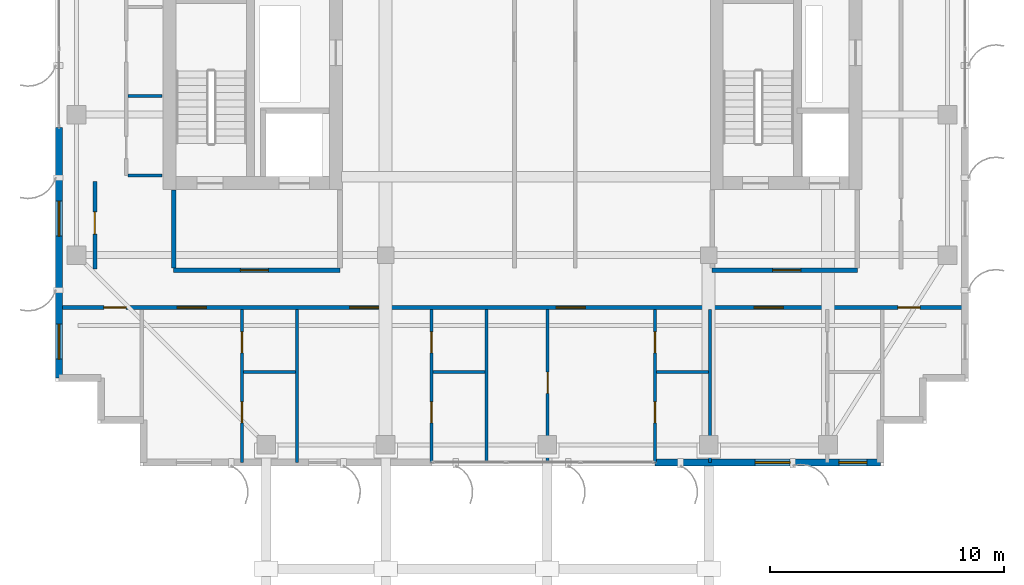
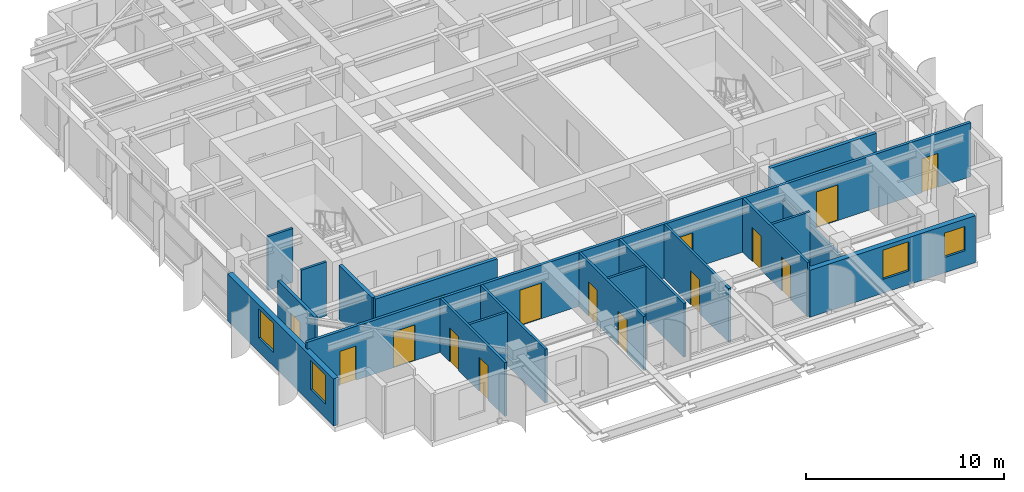
# One storey, part 14 of 19: 19 walls, 16 doors, 4 windows, 20 openings.
"""IFC4 building model written with IfcOpenShell, lengths in metres."""

from ifc_helpers import new_model, si_unit, direction, frame, frame_2d, origin, place, context, subcontext, project, spatial, rectangle, extrude, source, transform, mapped, material, layer, layer_set, type_object, element, fill, save


model = new_model("IFC4")

# Units and contexts
model_context = context("Model", 3, precision=1e-05, world=origin(), true_north=direction((0.0, 1.0)))
body_context = subcontext(model_context, "Body", "Model", "MODEL_VIEW")
ifc_project = project(units=[si_unit("LENGTHUNIT", "METRE"), si_unit("AREAUNIT", "SQUARE_METRE"), si_unit("VOLUMEUNIT", "CUBIC_METRE"), si_unit("PLANEANGLEUNIT", "RADIAN"), si_unit("MASSUNIT", "GRAM", prefix="KILO")], contexts=[model_context])

# Site, building, storey
site_placement = place(None, origin())
site = spatial("IfcSite", under=ifc_project, at=site_placement, CompositionType="ELEMENT")
building_placement = place(site_placement, origin())
building = spatial("IfcBuilding", under=site, at=building_placement, Name="Khoralis Quay Care Tower", CompositionType="ELEMENT")
storey_placement = place(building_placement, frame((0.0, 0.0, 281.699951171875)))
storey = spatial("IfcBuildingStorey", under=building, at=storey_placement, Name="L74", CompositionType="ELEMENT", Elevation=281.699951171875)

# Wall, opening, door
ifc_material_1 = material(Name="Gypsum plasterboard on acoustic metal stud")
ifc_layer_1 = layer(ifc_material_1, 0.199951171875)
ifc_layer_set_1 = layer_set([ifc_layer_1], Name="Gypsum plasterboard on acoustic metal stud")
wall_type_1 = type_object("IfcWallType", Name="WL-COMP-200", PredefinedType="PARTITIONING", material=ifc_layer_set_1)
wall_1_placement = place(storey_placement, frame((8.050048828125, 11.35009765625, 0.0), z_axis=(0.0, 0.0, 1.0), x_axis=(1.0, 0.0, 0.0)))
wall_1 = element("IfcWall", 1, at=wall_1_placement, inside=storey, type_object=wall_type_1, Name="L74 West Firefighting Lobby South Wall", PredefinedType="PARTITIONING", context=body_context, shape_type="SweptSolid", body=[
    extrude(rectangle(XDim=7.099853515625, YDim=0.199951171875, at=frame_2d((3.5498046875, 0.0))), origin(), (0.0, 0.0, 1.0), 3.320068359375),
])
opening_1_placement = place(wall_1_placement, frame((2.846435546875, 0.0, 0.0)))
opening_1 = element("IfcOpeningElement", 2, at=opening_1_placement, cuts=wall_1, Name="Opening FD1", PredefinedType="OPENING", context=body_context, shape_type="SweptSolid", body=[
    extrude(rectangle(XDim=1.199951171875, YDim=2.199951171875, at=frame_2d((0.60009765625, 1.10009765625))), frame((0.0, 0.10986328125, 0.0), z_axis=(0.0, -1.0, 0.0), x_axis=(1.0, 0.0, 0.0)), (0.0, 0.0, 1.0), 0.219970703125),
])
ifc_material_2 = material(Name="Fire-rated painted steel", Category="steel")
door_type_1 = type_object("IfcDoorType", Name="DR-FFL-1200X2200", OperationType="NOTDEFINED", PredefinedType="DOOR", material=ifc_material_2)
shared_shape_1 = source(origin(), body_context, "Body", "SweptSolid", [
    extrude(rectangle(XDim=1.199951171875, YDim=2.199951171875, at=frame_2d((0.60009765625, 1.10009765625))), frame((0.0, 0.02490234375, 0.0), z_axis=(0.0, -1.0, 0.0), x_axis=(1.0, 0.0, 0.0)), (0.0, 0.0, 1.0), 0.050048828125),
])
door_1_placement = place(opening_1_placement, origin())
door_1 = element("IfcDoor", 3, at=door_1_placement, inside=storey, type_object=door_type_1, Name="L74 West Firefighting Lobby Fire Door", OperationType="SINGLE_SWING_RIGHT", OverallHeight=2.199951171875, OverallWidth=1.199951171875, PredefinedType="DOOR", context=body_context, shape_type="MappedRepresentation", body=[
    mapped(shared_shape_1, transform((0.0, 0.0, 0.0), scale=1.0)),
])
fill(opening_1, door_1)

# Wall
wall_2_placement = place(storey_placement, frame((8.050048828125, 11.445068359375, 0.0), z_axis=(0.0, 0.0, 1.0), x_axis=(0.0, 1.0, 0.0)))
element("IfcWall", 4, at=wall_2_placement, inside=storey, type_object=wall_type_1, Name="L74 West Firefighting Lobby West Wall", PredefinedType="PARTITIONING", context=body_context, shape_type="SweptSolid", body=[
    extrude(rectangle(XDim=3.3349609375, YDim=0.199951171875, at=frame_2d((1.66748046875, 0.0))), origin(), (0.0, 0.0, 1.0), 3.320068359375),
])

# Wall, opening, door
wall_3_placement = place(storey_placement, frame((31.050048828125, 11.35009765625, 0.0), z_axis=(0.0, 0.0, 1.0), x_axis=(1.0, 0.0, 0.0)))
wall_3 = element("IfcWall", 5, at=wall_3_placement, inside=storey, type_object=wall_type_1, Name="L74 East Firefighting Lobby South Wall", PredefinedType="PARTITIONING", context=body_context, shape_type="SweptSolid", body=[
    extrude(rectangle(XDim=6.199951171875, YDim=0.199951171875, at=frame_2d((3.10009765625, 0.0))), origin(), (0.0, 0.0, 1.0), 3.320068359375),
])
opening_2_placement = place(wall_3_placement, frame((2.585693359375, 0.0, 0.0)))
opening_2 = element("IfcOpeningElement", 6, at=opening_2_placement, cuts=wall_3, Name="Opening FD1", PredefinedType="OPENING", context=body_context, shape_type="SweptSolid", body=[
    extrude(rectangle(XDim=1.199951171875, YDim=2.199951171875, at=frame_2d((0.60009765625, 1.10009765625))), frame((0.0, 0.10986328125, 0.0), z_axis=(0.0, -1.0, 0.0), x_axis=(1.0, 0.0, 0.0)), (0.0, 0.0, 1.0), 0.219970703125),
])
door_2_placement = place(opening_2_placement, origin())
door_2 = element("IfcDoor", 7, at=door_2_placement, inside=storey, type_object=door_type_1, Name="L74 East Firefighting Lobby Fire Door", OperationType="SINGLE_SWING_LEFT", OverallHeight=2.199951171875, OverallWidth=1.199951171875, PredefinedType="DOOR", context=body_context, shape_type="MappedRepresentation", body=[
    mapped(shared_shape_1, transform((0.0, 0.0, 0.0), scale=1.0)),
])
fill(opening_2, door_2)

# Wall, openings, doors
ifc_layer_2 = layer(ifc_material_1, 0.1650390625)
ifc_layer_set_2 = layer_set([ifc_layer_2], Name="Gypsum plasterboard on acoustic metal stud")
wall_type_2 = type_object("IfcWallType", Name="WL-CORR-165", PredefinedType="PARTITIONING", material=ifc_layer_set_2)
wall_4_placement = place(storey_placement, frame((3.14501953125, 9.760009765625, 0.0), z_axis=(0.0, 0.0, 1.0), x_axis=(1.0, 0.0, 0.0)))
wall_4 = element("IfcWall", 8, at=wall_4_placement, inside=storey, type_object=wall_type_2, Name="L74 South Main Corridor Wall", PredefinedType="PARTITIONING", context=body_context, shape_type="SweptSolid", body=[
    extrude(rectangle(XDim=38.7099609375, YDim=0.1650390625, at=frame_2d((19.35498046875, 0.0))), origin(), (0.0, 0.0, 1.0), 3.320068359375),
])
opening_3_placement = place(wall_4_placement, frame((5.054931640625, 0.0, 0.0)))
opening_3 = element("IfcOpeningElement", 9, at=opening_3_placement, cuts=wall_4, Name="Opening CD1", PredefinedType="OPENING", context=body_context, shape_type="SweptSolid", body=[
    extrude(rectangle(XDim=1.25, YDim=2.199951171875, at=frame_2d((0.625, 1.10009765625))), frame((0.0, 0.092529296875, 0.0), z_axis=(0.0, -1.0, 0.0), x_axis=(1.0, 0.0, 0.0)), (0.0, 0.0, 1.0), 0.18505859375),
])
opening_4_placement = place(wall_4_placement, frame((12.419921875, 0.0, 0.0)))
opening_4 = element("IfcOpeningElement", 10, at=opening_4_placement, cuts=wall_4, Name="Opening CD1", PredefinedType="OPENING", context=body_context, shape_type="SweptSolid", body=[
    extrude(rectangle(XDim=1.25, YDim=2.199951171875, at=frame_2d((0.625, 1.10009765625))), frame((0.0, 0.092529296875, 0.0), z_axis=(0.0, -1.0, 0.0), x_axis=(1.0, 0.0, 0.0)), (0.0, 0.0, 1.0), 0.18505859375),
])
opening_5_placement = place(wall_4_placement, frame((21.239990234375, 0.0, 0.0)))
opening_5 = element("IfcOpeningElement", 11, at=opening_5_placement, cuts=wall_4, Name="Opening CD1", PredefinedType="OPENING", context=body_context, shape_type="SweptSolid", body=[
    extrude(rectangle(XDim=1.25, YDim=2.199951171875, at=frame_2d((0.625, 1.10009765625))), frame((0.0, 0.092529296875, 0.0), z_axis=(0.0, -1.0, 0.0), x_axis=(1.0, 0.0, 0.0)), (0.0, 0.0, 1.0), 0.18505859375),
])
opening_6_placement = place(wall_4_placement, frame((29.695068359375, 0.0, 0.0)))
opening_6 = element("IfcOpeningElement", 12, at=opening_6_placement, cuts=wall_4, Name="Opening CD1", PredefinedType="OPENING", context=body_context, shape_type="SweptSolid", body=[
    extrude(rectangle(XDim=1.25, YDim=2.199951171875, at=frame_2d((0.625, 1.10009765625))), frame((0.0, 0.092529296875, 0.0), z_axis=(0.0, -1.0, 0.0), x_axis=(1.0, 0.0, 0.0)), (0.0, 0.0, 1.0), 0.18505859375),
])
opening_7_placement = place(wall_4_placement, frame((1.919921875, 0.0, 0.0)))
opening_7 = element("IfcOpeningElement", 13, at=opening_7_placement, cuts=wall_4, Name="Opening ID1", PredefinedType="OPENING", context=body_context, shape_type="SweptSolid", body=[
    extrude(rectangle(XDim=0.949951171875, YDim=2.10009765625, at=frame_2d((0.47509765625, 1.050048828125))), frame((0.0, 0.092529296875, 0.0), z_axis=(0.0, -1.0, 0.0), x_axis=(1.0, 0.0, 0.0)), (0.0, 0.0, 1.0), 0.18505859375),
])
opening_8_placement = place(wall_4_placement, frame((35.840087890625, 0.0, 0.0)))
opening_8 = element("IfcOpeningElement", 14, at=opening_8_placement, cuts=wall_4, Name="Opening ID1", PredefinedType="OPENING", context=body_context, shape_type="SweptSolid", body=[
    extrude(rectangle(XDim=0.949951171875, YDim=2.10009765625, at=frame_2d((0.47509765625, 1.050048828125))), frame((0.0, 0.092529296875, 0.0), z_axis=(0.0, -1.0, 0.0), x_axis=(1.0, 0.0, 0.0)), (0.0, 0.0, 1.0), 0.18505859375),
])
ifc_material_3 = material(Name="Acoustic hardwood timber", Category="wood")
door_type_2 = type_object("IfcDoorType", Name="DR-CARE-1250X2200", OperationType="NOTDEFINED", PredefinedType="DOOR", material=ifc_material_3)
shared_shape_2 = source(origin(), body_context, "Body", "SweptSolid", [
    extrude(rectangle(XDim=1.25, YDim=2.199951171875, at=frame_2d((0.625, 1.10009765625))), frame((0.0, 0.02490234375, 0.0), z_axis=(0.0, -1.0, 0.0), x_axis=(1.0, 0.0, 0.0)), (0.0, 0.0, 1.0), 0.050048828125),
])
door_3_placement = place(opening_3_placement, frame((1.25, 0.0, 0.0), z_axis=(0.0, 0.0, 1.0), x_axis=(-1.0, 0.0, 0.0)))
door_3 = element("IfcDoor", 15, at=door_3_placement, inside=storey, type_object=door_type_2, Name="L74 Care Suite SB0 Clinical Door", OperationType="SINGLE_SWING_RIGHT", OverallHeight=2.199951171875, OverallWidth=1.25, PredefinedType="DOOR", context=body_context, shape_type="MappedRepresentation", body=[
    mapped(shared_shape_2, transform((0.0, 0.0, 0.0), scale=1.0)),
])
fill(opening_3, door_3)
door_4_placement = place(opening_4_placement, frame((1.25, 0.0, 0.0), z_axis=(0.0, 0.0, 1.0), x_axis=(-1.0, 0.0, 0.0)))
door_4 = element("IfcDoor", 16, at=door_4_placement, inside=storey, type_object=door_type_2, Name="L74 Care Suite SB1 Clinical Door", OperationType="SINGLE_SWING_LEFT", OverallHeight=2.199951171875, OverallWidth=1.25, PredefinedType="DOOR", context=body_context, shape_type="MappedRepresentation", body=[
    mapped(shared_shape_2, transform((0.0, 0.0, 0.0), scale=1.0)),
])
fill(opening_4, door_4)
door_5_placement = place(opening_5_placement, frame((1.25, 0.0, 0.0), z_axis=(0.0, 0.0, 1.0), x_axis=(-1.0, 0.0, 0.0)))
door_5 = element("IfcDoor", 17, at=door_5_placement, inside=storey, type_object=door_type_2, Name="L74 Care Suite SB2 Clinical Door", OperationType="SINGLE_SWING_RIGHT", OverallHeight=2.199951171875, OverallWidth=1.25, PredefinedType="DOOR", context=body_context, shape_type="MappedRepresentation", body=[
    mapped(shared_shape_2, transform((0.0, 0.0, 0.0), scale=1.0)),
])
fill(opening_5, door_5)
door_6_placement = place(opening_6_placement, frame((1.25, 0.0, 0.0), z_axis=(0.0, 0.0, 1.0), x_axis=(-1.0, 0.0, 0.0)))
door_6 = element("IfcDoor", 18, at=door_6_placement, inside=storey, type_object=door_type_2, Name="L74 Care Suite SB3 Clinical Door", OperationType="SINGLE_SWING_LEFT", OverallHeight=2.199951171875, OverallWidth=1.25, PredefinedType="DOOR", context=body_context, shape_type="MappedRepresentation", body=[
    mapped(shared_shape_2, transform((0.0, 0.0, 0.0), scale=1.0)),
])
fill(opening_6, door_6)
door_type_3 = type_object("IfcDoorType", Name="DR-ROOM-950X2100", OperationType="NOTDEFINED", PredefinedType="DOOR", material=ifc_material_3)
shared_shape_3 = source(origin(), body_context, "Body", "SweptSolid", [
    extrude(rectangle(XDim=0.949951171875, YDim=2.10009765625, at=frame_2d((0.47509765625, 1.050048828125))), frame((0.0, 0.02490234375, 0.0), z_axis=(0.0, -1.0, 0.0), x_axis=(1.0, 0.0, 0.0)), (0.0, 0.0, 1.0), 0.050048828125),
])
door_7_placement = place(opening_7_placement, frame((0.949951171875, 0.0, 0.0), z_axis=(0.0, 0.0, 1.0), x_axis=(-1.0, 0.0, 0.0)))
door_7 = element("IfcDoor", 19, at=door_7_placement, inside=storey, type_object=door_type_3, Name="L74 SW Corner Door", OperationType="SINGLE_SWING_LEFT", OverallHeight=2.10009765625, OverallWidth=0.949951171875, PredefinedType="DOOR", context=body_context, shape_type="MappedRepresentation", body=[
    mapped(shared_shape_3, transform((0.0, 0.0, 0.0), scale=1.0)),
])
fill(opening_7, door_7)
door_8_placement = place(opening_8_placement, frame((0.949951171875, 0.0, 0.0), z_axis=(0.0, 0.0, 1.0), x_axis=(-1.0, 0.0, 0.0)))
door_8 = element("IfcDoor", 20, at=door_8_placement, inside=storey, type_object=door_type_3, Name="L74 SE Corner Door", OperationType="SINGLE_SWING_RIGHT", OverallHeight=2.10009765625, OverallWidth=0.949951171875, PredefinedType="DOOR", context=body_context, shape_type="MappedRepresentation", body=[
    mapped(shared_shape_3, transform((0.0, 0.0, 0.0), scale=1.0)),
])
fill(opening_8, door_8)

# Wall, opening, door
wall_5_placement = place(storey_placement, frame((4.679931640625, 11.39990234375, 0.0), z_axis=(0.0, 0.0, 1.0), x_axis=(0.0, 1.0, 0.0)))
wall_5 = element("IfcWall", 21, at=wall_5_placement, inside=storey, type_object=wall_type_2, Name="L74 West Sky Sunroom South Wall", PredefinedType="PARTITIONING", context=body_context, shape_type="SweptSolid", body=[
    extrude(rectangle(XDim=3.75, YDim=0.1650390625, at=frame_2d((1.875, 0.0))), origin(), (0.0, 0.0, 1.0), 3.320068359375),
])
opening_9_placement = place(wall_5_placement, frame((1.5, 0.0, 0.0)))
opening_9 = element("IfcOpeningElement", 22, at=opening_9_placement, cuts=wall_5, Name="Opening ID1", PredefinedType="OPENING", context=body_context, shape_type="SweptSolid", body=[
    extrude(rectangle(XDim=0.949951171875, YDim=2.10009765625, at=frame_2d((0.47509765625, 1.050048828125))), frame((0.0, 0.092529296875, 0.0), z_axis=(0.0, -1.0, 0.0), x_axis=(1.0, 0.0, 0.0)), (0.0, 0.0, 1.0), 0.18505859375),
])
door_9_placement = place(opening_9_placement, frame((0.949951171875, 0.0, 0.0), z_axis=(0.0, 0.0, 1.0), x_axis=(-1.0, 0.0, 0.0)))
door_9 = element("IfcDoor", 23, at=door_9_placement, inside=storey, type_object=door_type_3, Name="L74 West Sunroom Door", OperationType="SINGLE_SWING_LEFT", OverallHeight=2.10009765625, OverallWidth=0.949951171875, PredefinedType="DOOR", context=body_context, shape_type="MappedRepresentation", body=[
    mapped(shared_shape_3, transform((0.0, 0.0, 0.0), scale=1.0)),
])
fill(opening_9, door_9)

# Wall, openings, windows
ifc_material_4 = material(Name="Precast concrete C45/55", Category="concrete")
ifc_layer_3 = layer(ifc_material_4, 0.300048828125)
ifc_layer_set_3 = layer_set([ifc_layer_3], Name="Precast concrete C45/55")
wall_type_3 = type_object("IfcWallType", Name="WL-EXT-REF-300", PredefinedType="SOLIDWALL", material=ifc_layer_set_3)
wall_6_placement = place(storey_placement, frame((28.610107421875, 3.14990234375, 0.0), z_axis=(0.0, 0.0, 1.0), x_axis=(1.0, 0.0, 0.0)))
wall_6 = element("IfcWall", 24, at=wall_6_placement, inside=storey, type_object=wall_type_3, Name="L74 External Facade Wall WL-EXT-L74-P1-E0B", PredefinedType="SOLIDWALL", context=body_context, shape_type="SweptSolid", body=[
    extrude(rectangle(XDim=9.639892578125, YDim=0.300048828125, at=frame_2d((4.81982421875, 0.0))), origin(), (0.0, 0.0, 1.0), 2.900146484375),
])
opening_10_placement = place(wall_6_placement, frame((4.27001953125, 0.0, 0.85009765625)))
opening_10 = element("IfcOpeningElement", 25, at=opening_10_placement, cuts=wall_6, Name="Opening W3", PredefinedType="OPENING", context=body_context, shape_type="SweptSolid", body=[
    extrude(rectangle(XDim=1.5, YDim=1.800048828125, at=frame_2d((0.75, 0.89990234375))), frame((0.0, 0.16015625, 0.0), z_axis=(0.0, -1.0, 0.0), x_axis=(1.0, 0.0, 0.0)), (0.0, 0.0, 1.0), 0.320068359375),
])
opening_11_placement = place(wall_6_placement, frame((7.85009765625, 0.0, 0.949951171875)))
opening_11 = element("IfcOpeningElement", 26, at=opening_11_placement, cuts=wall_6, Name="Opening W6", PredefinedType="OPENING", context=body_context, shape_type="SweptSolid", body=[
    extrude(rectangle(XDim=1.199951171875, YDim=1.5, at=frame_2d((0.60009765625, 0.75))), frame((0.0, 0.16015625, 0.0), z_axis=(0.0, -1.0, 0.0), x_axis=(1.0, 0.0, 0.0)), (0.0, 0.0, 1.0), 0.320068359375),
])
ifc_material_5 = material(Name="Low-E solar-control double glazing", Category="glass")
window_type_1 = type_object("IfcWindowType", Name="WN-CLIN-1500X1800", PartitioningType="SINGLE_PANEL", PredefinedType="WINDOW", material=ifc_material_5)
shared_shape_4 = source(origin(), body_context, "Body", "SweptSolid", [
    extrude(rectangle(XDim=1.5, YDim=1.800048828125, at=frame_2d((0.75, 0.89990234375))), frame((0.0, 0.030029296875, 0.0), z_axis=(0.0, -1.0, 0.0), x_axis=(1.0, 0.0, 0.0)), (0.0, 0.0, 1.0), 0.06005859375),
])
window_1_placement = place(opening_10_placement, origin())
window_1 = element("IfcWindow", 27, at=window_1_placement, inside=storey, type_object=window_type_1, Name="WN-L74-P1-E0B Facade Window 01", OverallHeight=1.800048828125, OverallWidth=1.5, PartitioningType="SINGLE_PANEL", PredefinedType="WINDOW", context=body_context, shape_type="MappedRepresentation", body=[
    mapped(shared_shape_4, transform((0.0, 0.0, 0.0), scale=1.0)),
])
fill(opening_10, window_1)
window_type_2 = type_object("IfcWindowType", Name="WN-SCH-1200X1500", PartitioningType="SINGLE_PANEL", PredefinedType="WINDOW", material=ifc_material_5)
shared_shape_5 = source(origin(), body_context, "Body", "SweptSolid", [
    extrude(rectangle(XDim=1.199951171875, YDim=1.5, at=frame_2d((0.60009765625, 0.75))), frame((0.0, 0.030029296875, 0.0), z_axis=(0.0, -1.0, 0.0), x_axis=(1.0, 0.0, 0.0)), (0.0, 0.0, 1.0), 0.06005859375),
])
window_2_placement = place(opening_11_placement, origin())
window_2 = element("IfcWindow", 28, at=window_2_placement, inside=storey, type_object=window_type_2, Name="WN-L74-P1-E0B Facade Window 02", OverallHeight=1.5, OverallWidth=1.199951171875, PartitioningType="SINGLE_PANEL", PredefinedType="WINDOW", context=body_context, shape_type="MappedRepresentation", body=[
    mapped(shared_shape_5, transform((0.0, 0.0, 0.0), scale=1.0)),
])
fill(opening_11, window_2)

wall_7_placement = place(storey_placement, frame((3.14990234375, 17.4599609375, 0.0), z_axis=(0.0, 0.0, 1.0), x_axis=(0.0, -1.0, 0.0)))
wall_7 = element("IfcWall", 29, at=wall_7_placement, inside=storey, type_object=wall_type_3, Name="L74 External Facade Wall WL-EXT-L74-P1-E15B", PredefinedType="SOLIDWALL", context=body_context, shape_type="SweptSolid", body=[
    extrude(rectangle(XDim=10.7099609375, YDim=0.300048828125, at=frame_2d((5.35498046875, 0.0))), origin(), (0.0, 0.0, 1.0), 2.900146484375),
])
opening_12_placement = place(wall_7_placement, frame((3.14990234375, 0.0, 0.85009765625)))
opening_12 = element("IfcOpeningElement", 30, at=opening_12_placement, cuts=wall_7, Name="Opening W3", PredefinedType="OPENING", context=body_context, shape_type="SweptSolid", body=[
    extrude(rectangle(XDim=1.5, YDim=1.800048828125, at=frame_2d((0.75, 0.89990234375))), frame((0.0, 0.16015625, 0.0), z_axis=(0.0, -1.0, 0.0), x_axis=(1.0, 0.0, 0.0)), (0.0, 0.0, 1.0), 0.320068359375),
])
opening_13_placement = place(wall_7_placement, frame((8.405029296875, 0.0, 0.85009765625)))
opening_13 = element("IfcOpeningElement", 31, at=opening_13_placement, cuts=wall_7, Name="Opening W3", PredefinedType="OPENING", context=body_context, shape_type="SweptSolid", body=[
    extrude(rectangle(XDim=1.5, YDim=1.800048828125, at=frame_2d((0.75, 0.89990234375))), frame((0.0, 0.16015625, 0.0), z_axis=(0.0, -1.0, 0.0), x_axis=(1.0, 0.0, 0.0)), (0.0, 0.0, 1.0), 0.320068359375),
])
window_3_placement = place(opening_12_placement, origin())
window_3 = element("IfcWindow", 32, at=window_3_placement, inside=storey, type_object=window_type_1, Name="WN-L74-P1-E15B Facade Window 01", OverallHeight=1.800048828125, OverallWidth=1.5, PartitioningType="SINGLE_PANEL", PredefinedType="WINDOW", context=body_context, shape_type="MappedRepresentation", body=[
    mapped(shared_shape_4, transform((0.0, 0.0, 0.0), scale=1.0)),
])
fill(opening_12, window_3)
window_4_placement = place(opening_13_placement, origin())
window_4 = element("IfcWindow", 33, at=window_4_placement, inside=storey, type_object=window_type_1, Name="WN-L74-P1-E15B Facade Window 02", OverallHeight=1.800048828125, OverallWidth=1.5, PartitioningType="SINGLE_PANEL", PredefinedType="WINDOW", context=body_context, shape_type="MappedRepresentation", body=[
    mapped(shared_shape_4, transform((0.0, 0.0, 0.0), scale=1.0)),
])
fill(opening_13, window_4)

# Wall
ifc_material_6 = material(Name="Moisture-resistant gypsum and ceramic tile")
ifc_layer_4 = layer(ifc_material_6, 0.280029296875)
ifc_layer_set_4 = layer_set([ifc_layer_4], Name="Moisture-resistant gypsum and ceramic tile")
wall_type_4 = type_object("IfcWallType", Name="WL-PLUMB-280", PredefinedType="PLUMBINGWALL", material=ifc_layer_set_4)
wall_8_placement = place(storey_placement, frame((6.097412109375, 18.800048828125, 0.0), z_axis=(0.0, 0.0, 1.0), x_axis=(1.0, 0.0, 0.0)))
element("IfcWall", 34, at=wall_8_placement, inside=storey, type_object=wall_type_4, Name="L74 West Flank Divider 1", PredefinedType="PLUMBINGWALL", context=body_context, shape_type="SweptSolid", body=[
    extrude(rectangle(XDim=1.462646484375, YDim=0.139892578125, at=frame_2d((0.7314453125, 0.0))), origin(), (0.0, 0.0, 1.0), 3.320068359375),
])

# Wall, openings, doors
wall_9_placement = place(storey_placement, frame((10.969970703125, 3.14501953125, 0.0), z_axis=(0.0, 0.0, 1.0), x_axis=(0.0, 1.0, 0.0)))
wall_9 = element("IfcWall", 35, at=wall_9_placement, inside=storey, type_object=wall_type_4, Name="L74 Care Suite 0 En-Suite Wall V", PredefinedType="PLUMBINGWALL", context=body_context, shape_type="SweptSolid", body=[
    extrude(rectangle(XDim=6.53759765625, YDim=0.139892578125, at=frame_2d((3.268798828125, 0.0))), origin(), (0.0, 0.0, 1.0), 3.320068359375),
])
opening_14_placement = place(wall_9_placement, frame((4.675048828125, 0.0, 0.0)))
opening_14 = element("IfcOpeningElement", 36, at=opening_14_placement, cuts=wall_9, Name="Opening WD1", PredefinedType="OPENING", context=body_context, shape_type="SweptSolid", body=[
    extrude(rectangle(XDim=0.89990234375, YDim=2.10009765625, at=frame_2d((0.449951171875, 1.050048828125))), frame((0.0, 0.080078125, 0.0), z_axis=(0.0, -1.0, 0.0), x_axis=(1.0, 0.0, 0.0)), (0.0, 0.0, 1.0), 0.159912109375),
])
opening_15_placement = place(wall_9_placement, frame((1.68505859375, 0.0, 0.0)))
opening_15 = element("IfcOpeningElement", 37, at=opening_15_placement, cuts=wall_9, Name="Opening WD1", PredefinedType="OPENING", context=body_context, shape_type="SweptSolid", body=[
    extrude(rectangle(XDim=0.89990234375, YDim=2.10009765625, at=frame_2d((0.449951171875, 1.050048828125))), frame((0.0, 0.080078125, 0.0), z_axis=(0.0, -1.0, 0.0), x_axis=(1.0, 0.0, 0.0)), (0.0, 0.0, 1.0), 0.159912109375),
])
door_type_4 = type_object("IfcDoorType", Name="DR-BATH-900X2100", OperationType="NOTDEFINED", PredefinedType="DOOR", material=ifc_material_3)
shared_shape_6 = source(origin(), body_context, "Body", "SweptSolid", [
    extrude(rectangle(XDim=0.89990234375, YDim=2.10009765625, at=frame_2d((0.449951171875, 1.050048828125))), frame((0.0, 0.02490234375, 0.0), z_axis=(0.0, -1.0, 0.0), x_axis=(1.0, 0.0, 0.0)), (0.0, 0.0, 1.0), 0.050048828125),
])
door_10_placement = place(opening_14_placement, frame((0.89990234375, 0.0, 0.0), z_axis=(0.0, 0.0, 1.0), x_axis=(-1.0, 0.0, 0.0)))
door_10 = element("IfcDoor", 38, at=door_10_placement, inside=storey, type_object=door_type_4, Name="L74 Care CENS Door", OperationType="SINGLE_SWING_LEFT", OverallHeight=2.10009765625, OverallWidth=0.89990234375, PredefinedType="DOOR", context=body_context, shape_type="MappedRepresentation", body=[
    mapped(shared_shape_6, transform((0.0, 0.0, 0.0), scale=1.0)),
])
fill(opening_14, door_10)
door_11_placement = place(opening_15_placement, frame((0.89990234375, 0.0, 0.0), z_axis=(0.0, 0.0, 1.0), x_axis=(-1.0, 0.0, 0.0)))
door_11 = element("IfcDoor", 39, at=door_11_placement, inside=storey, type_object=door_type_4, Name="L74 Care CSIT Door", OperationType="SINGLE_SWING_RIGHT", OverallHeight=2.10009765625, OverallWidth=0.89990234375, PredefinedType="DOOR", context=body_context, shape_type="MappedRepresentation", body=[
    mapped(shared_shape_6, transform((0.0, 0.0, 0.0), scale=1.0)),
])
fill(opening_15, door_11)

# Wall
wall_10_placement = place(storey_placement, frame((11.034912109375, 7.010009765625, 0.0), z_axis=(0.0, 0.0, 1.0), x_axis=(1.0, 0.0, 0.0)))
element("IfcWall", 40, at=wall_10_placement, inside=storey, type_object=wall_type_4, Name="L74 Care Suite 0 En-Suite Wall H", PredefinedType="PLUMBINGWALL", context=body_context, shape_type="SweptSolid", body=[
    extrude(rectangle(XDim=2.219970703125, YDim=0.139892578125, at=frame_2d((1.10986328125, 0.0))), origin(), (0.0, 0.0, 1.0), 3.320068359375),
])

# Wall, openings, doors
wall_11_placement = place(storey_placement, frame((19.06005859375, 3.14501953125, 0.0), z_axis=(0.0, 0.0, 1.0), x_axis=(0.0, 1.0, 0.0)))
wall_11 = element("IfcWall", 41, at=wall_11_placement, inside=storey, type_object=wall_type_4, Name="L74 Care Suite 1 En-Suite Wall V", PredefinedType="PLUMBINGWALL", context=body_context, shape_type="SweptSolid", body=[
    extrude(rectangle(XDim=6.53759765625, YDim=0.139892578125, at=frame_2d((3.268798828125, 0.0))), origin(), (0.0, 0.0, 1.0), 3.320068359375),
])
opening_16_placement = place(wall_11_placement, frame((4.675048828125, 0.0, 0.0)))
opening_16 = element("IfcOpeningElement", 42, at=opening_16_placement, cuts=wall_11, Name="Opening WD1", PredefinedType="OPENING", context=body_context, shape_type="SweptSolid", body=[
    extrude(rectangle(XDim=0.89990234375, YDim=2.10009765625, at=frame_2d((0.449951171875, 1.050048828125))), frame((0.0, 0.080078125, 0.0), z_axis=(0.0, -1.0, 0.0), x_axis=(1.0, 0.0, 0.0)), (0.0, 0.0, 1.0), 0.159912109375),
])
opening_17_placement = place(wall_11_placement, frame((1.68505859375, 0.0, 0.0)))
opening_17 = element("IfcOpeningElement", 43, at=opening_17_placement, cuts=wall_11, Name="Opening WD1", PredefinedType="OPENING", context=body_context, shape_type="SweptSolid", body=[
    extrude(rectangle(XDim=0.89990234375, YDim=2.10009765625, at=frame_2d((0.449951171875, 1.050048828125))), frame((0.0, 0.080078125, 0.0), z_axis=(0.0, -1.0, 0.0), x_axis=(1.0, 0.0, 0.0)), (0.0, 0.0, 1.0), 0.159912109375),
])
door_12_placement = place(opening_16_placement, frame((0.89990234375, 0.0, 0.0), z_axis=(0.0, 0.0, 1.0), x_axis=(-1.0, 0.0, 0.0)))
door_12 = element("IfcDoor", 44, at=door_12_placement, inside=storey, type_object=door_type_4, Name="L74 Care CENS Door", OperationType="SINGLE_SWING_RIGHT", OverallHeight=2.10009765625, OverallWidth=0.89990234375, PredefinedType="DOOR", context=body_context, shape_type="MappedRepresentation", body=[
    mapped(shared_shape_6, transform((0.0, 0.0, 0.0), scale=1.0)),
])
fill(opening_16, door_12)
door_13_placement = place(opening_17_placement, frame((0.89990234375, 0.0, 0.0), z_axis=(0.0, 0.0, 1.0), x_axis=(-1.0, 0.0, 0.0)))
door_13 = element("IfcDoor", 45, at=door_13_placement, inside=storey, type_object=door_type_4, Name="L74 Care CSIT Door", OperationType="SINGLE_SWING_LEFT", OverallHeight=2.10009765625, OverallWidth=0.89990234375, PredefinedType="DOOR", context=body_context, shape_type="MappedRepresentation", body=[
    mapped(shared_shape_6, transform((0.0, 0.0, 0.0), scale=1.0)),
])
fill(opening_17, door_13)

# Wall
wall_12_placement = place(storey_placement, frame((19.125, 7.010009765625, 0.0), z_axis=(0.0, 0.0, 1.0), x_axis=(1.0, 0.0, 0.0)))
element("IfcWall", 46, at=wall_12_placement, inside=storey, type_object=wall_type_4, Name="L74 Care Suite 1 En-Suite Wall H", PredefinedType="PLUMBINGWALL", context=body_context, shape_type="SweptSolid", body=[
    extrude(rectangle(XDim=2.219970703125, YDim=0.139892578125, at=frame_2d((1.10986328125, 0.0))), origin(), (0.0, 0.0, 1.0), 3.320068359375),
])

# Wall, openings, doors
wall_13_placement = place(storey_placement, frame((28.610107421875, 3.14501953125, 0.0), z_axis=(0.0, 0.0, 1.0), x_axis=(0.0, 1.0, 0.0)))
wall_13 = element("IfcWall", 47, at=wall_13_placement, inside=storey, type_object=wall_type_4, Name="L74 Care Suite 2 En-Suite Wall V", PredefinedType="PLUMBINGWALL", context=body_context, shape_type="SweptSolid", body=[
    extrude(rectangle(XDim=6.53759765625, YDim=0.139892578125, at=frame_2d((3.268798828125, 0.0))), origin(), (0.0, 0.0, 1.0), 3.320068359375),
])
opening_18_placement = place(wall_13_placement, frame((4.675048828125, 0.0, 0.0)))
opening_18 = element("IfcOpeningElement", 48, at=opening_18_placement, cuts=wall_13, Name="Opening WD1", PredefinedType="OPENING", context=body_context, shape_type="SweptSolid", body=[
    extrude(rectangle(XDim=0.89990234375, YDim=2.10009765625, at=frame_2d((0.449951171875, 1.050048828125))), frame((0.0, 0.080078125, 0.0), z_axis=(0.0, -1.0, 0.0), x_axis=(1.0, 0.0, 0.0)), (0.0, 0.0, 1.0), 0.159912109375),
])
opening_19_placement = place(wall_13_placement, frame((1.68505859375, 0.0, 0.0)))
opening_19 = element("IfcOpeningElement", 49, at=opening_19_placement, cuts=wall_13, Name="Opening WD1", PredefinedType="OPENING", context=body_context, shape_type="SweptSolid", body=[
    extrude(rectangle(XDim=0.89990234375, YDim=2.10009765625, at=frame_2d((0.449951171875, 1.050048828125))), frame((0.0, 0.080078125, 0.0), z_axis=(0.0, -1.0, 0.0), x_axis=(1.0, 0.0, 0.0)), (0.0, 0.0, 1.0), 0.159912109375),
])
door_14_placement = place(opening_18_placement, frame((0.89990234375, 0.0, 0.0), z_axis=(0.0, 0.0, 1.0), x_axis=(-1.0, 0.0, 0.0)))
door_14 = element("IfcDoor", 50, at=door_14_placement, inside=storey, type_object=door_type_4, Name="L74 Care CENS Door", OperationType="SINGLE_SWING_LEFT", OverallHeight=2.10009765625, OverallWidth=0.89990234375, PredefinedType="DOOR", context=body_context, shape_type="MappedRepresentation", body=[
    mapped(shared_shape_6, transform((0.0, 0.0, 0.0), scale=1.0)),
])
fill(opening_18, door_14)
door_15_placement = place(opening_19_placement, frame((0.89990234375, 0.0, 0.0), z_axis=(0.0, 0.0, 1.0), x_axis=(-1.0, 0.0, 0.0)))
door_15 = element("IfcDoor", 51, at=door_15_placement, inside=storey, type_object=door_type_4, Name="L74 Care CSIT Door", OperationType="SINGLE_SWING_RIGHT", OverallHeight=2.10009765625, OverallWidth=0.89990234375, PredefinedType="DOOR", context=body_context, shape_type="MappedRepresentation", body=[
    mapped(shared_shape_6, transform((0.0, 0.0, 0.0), scale=1.0)),
])
fill(opening_19, door_15)

# Walls
wall_14_placement = place(storey_placement, frame((28.675048828125, 7.010009765625, 0.0), z_axis=(0.0, 0.0, 1.0), x_axis=(1.0, 0.0, 0.0)))
element("IfcWall", 52, at=wall_14_placement, inside=storey, type_object=wall_type_4, Name="L74 Care Suite 2 En-Suite Wall H", PredefinedType="PLUMBINGWALL", context=body_context, shape_type="SweptSolid", body=[
    extrude(rectangle(XDim=2.219970703125, YDim=0.139892578125, at=frame_2d((1.10986328125, 0.0))), origin(), (0.0, 0.0, 1.0), 3.320068359375),
])
ifc_layer_5 = layer(ifc_material_1, 0.139892578125)
ifc_layer_set_5 = layer_set([ifc_layer_5], Name="Gypsum plasterboard on acoustic metal stud")
wall_type_5 = type_object("IfcWallType", Name="WL-UNIT-140", PredefinedType="PARTITIONING", material=ifc_layer_set_5)
wall_15_placement = place(storey_placement, frame((6.097412109375, 15.39990234375, 0.0), z_axis=(0.0, 0.0, 1.0), x_axis=(1.0, 0.0, 0.0)))
element("IfcWall", 53, at=wall_15_placement, inside=storey, type_object=wall_type_5, Name="L74 West Flank South Cap", PredefinedType="PARTITIONING", context=body_context, shape_type="SweptSolid", body=[
    extrude(rectangle(XDim=1.462646484375, YDim=0.139892578125, at=frame_2d((0.7314453125, 0.0))), origin(), (0.0, 0.0, 1.0), 3.320068359375),
])
for number, where, z_axis, x_axis, name in (
    (54, (13.320068359375, 3.14501953125, 0.0), (0.0, 0.0, 1.0), (0.0, 1.0, 0.0), "L74 SB Demising Wall 1"),
    (55, (21.409912109375, 3.14501953125, 0.0), (0.0, 0.0, 1.0), (0.0, 1.0, 0.0), "L74 SB Demising Wall 2"),
):
    element("IfcWall", number, at=place(storey_placement, frame(where, z_axis=z_axis, x_axis=x_axis)), inside=storey, type_object=wall_type_5, Name=name, PredefinedType="PARTITIONING", context=body_context, shape_type="SweptSolid", body=[
        extrude(rectangle(XDim=6.53759765625, YDim=0.139892578125, at=frame_2d((3.268798828125, 0.0))), origin(), (0.0, 0.0, 1.0), 3.320068359375),
    ])
wall_16_placement = place(storey_placement, frame((30.9599609375, 3.14501953125, 0.0), z_axis=(0.0, 0.0, 1.0), x_axis=(0.0, 1.0, 0.0)))
element("IfcWall", 56, at=wall_16_placement, inside=storey, type_object=wall_type_5, Name="L74 SB Demising Wall 3", PredefinedType="PARTITIONING", context=body_context, shape_type="SweptSolid", body=[
    extrude(rectangle(XDim=6.53759765625, YDim=0.139892578125, at=frame_2d((3.268798828125, 0.0))), origin(), (0.0, 0.0, 1.0), 2.469970703125),
])

# Wall, opening, door
wall_17_placement = place(storey_placement, frame((24.02001953125, 3.14501953125, 0.0), z_axis=(0.0, 0.0, 1.0), x_axis=(0.0, 1.0, 0.0)))
wall_17 = element("IfcWall", 57, at=wall_17_placement, inside=storey, type_object=wall_type_5, Name="Skilled Care Bedroom L74-SB2 Sub-Partition", PredefinedType="PARTITIONING", context=body_context, shape_type="SweptSolid", body=[
    extrude(rectangle(XDim=6.53759765625, YDim=0.139892578125, at=frame_2d((3.268798828125, 0.0))), origin(), (0.0, 0.0, 1.0), 3.320068359375),
])
opening_20_placement = place(wall_17_placement, frame((2.955078125, 0.0, 0.0)))
opening_20 = element("IfcOpeningElement", 58, at=opening_20_placement, cuts=wall_17, Name="Opening WD1", PredefinedType="OPENING", context=body_context, shape_type="SweptSolid", body=[
    extrude(rectangle(XDim=0.89990234375, YDim=2.10009765625, at=frame_2d((0.449951171875, 1.050048828125))), frame((0.0, 0.080078125, 0.0), z_axis=(0.0, -1.0, 0.0), x_axis=(1.0, 0.0, 0.0)), (0.0, 0.0, 1.0), 0.159912109375),
])
door_16_placement = place(opening_20_placement, origin())
door_16 = element("IfcDoor", 59, at=door_16_placement, inside=storey, type_object=door_type_4, Name="Private Study & Reading Alcove ARE2 Door", OperationType="SINGLE_SWING_LEFT", OverallHeight=2.10009765625, OverallWidth=0.89990234375, PredefinedType="DOOR", context=body_context, shape_type="MappedRepresentation", body=[
    mapped(shared_shape_6, transform((0.0, 0.0, 0.0), scale=1.0)),
])
fill(opening_20, door_16)

save(model, "model.ifc")
